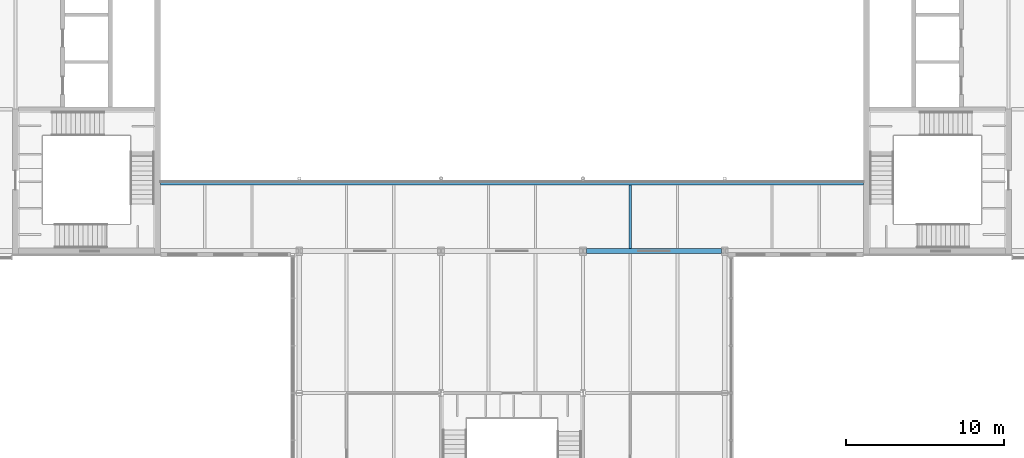
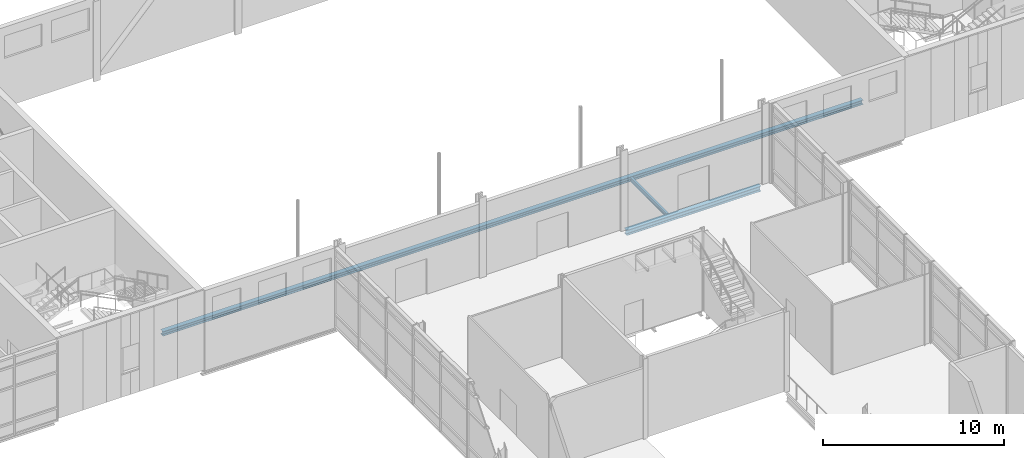
# One storey, part 21 of 56: 3 beams.
"""IFC4 building model written with IfcOpenShell, lengths in metres."""

from ifc_helpers import new_model, si_unit, direction, frame, origin, origin_2d, place, context, subcontext, project, spatial, i_section, extrude, material, material_profile, profile_set, type_object, element, save


model = new_model("IFC4")

# Units and contexts
model_context = context("Model", 3, precision=1e-05, world=origin(), true_north=direction((0.0, 1.0)))
body_context = subcontext(model_context, "Body", "Model", "MODEL_VIEW")
ifc_project = project(units=[si_unit("LENGTHUNIT", "METRE"), si_unit("AREAUNIT", "SQUARE_METRE"), si_unit("VOLUMEUNIT", "CUBIC_METRE"), si_unit("PLANEANGLEUNIT", "RADIAN"), si_unit("MASSUNIT", "GRAM", prefix="KILO")], contexts=[model_context])

# Site, building, storey
site_placement = place(None, origin())
site = spatial("IfcSite", under=ifc_project, at=site_placement, CompositionType="ELEMENT")
building_placement = place(site_placement, origin())
building = spatial("IfcBuilding", under=site, at=building_placement, Name="Azimuth Sports and Learning Centre", CompositionType="ELEMENT")
storey_placement = place(building_placement, frame((0.0, 0.0, 5.39990234375)))
storey = spatial("IfcBuildingStorey", under=building, at=storey_placement, Name="L01", CompositionType="ELEMENT", Elevation=5.39990234375)

# Beams
ifc_material_1 = material(Name="Steel S355", Category="steel")
ifc_material_profile_1 = material_profile(ifc_material_1, i_section(OverallWidth=0.300048828125, OverallDepth=0.35009765625, WebThickness=0.010009765625, FlangeThickness=0.017578125, FilletRadius=0.027099609375, at=origin_2d()), Name="HEA 360")
ifc_profile_set_1 = profile_set([ifc_material_profile_1], Name="Steel S355")
beam_type_1 = type_object("IfcBeamType", Name="Edge beam HEA 360", PredefinedType="SPANDREL", material=ifc_profile_set_1)
beam_1_placement = place(storey_placement, frame((90.220947265625, 90.0, -0.324951171875), z_axis=(1.0, 0.0, 0.0), x_axis=(0.0, 1.0, 0.0)))
element("IfcBeam", 1, at=beam_1_placement, inside=storey, type_object=beam_type_1, Name="Edge beam L01 ST 19", PredefinedType="SPANDREL", context=body_context, shape_type="SweptSolid", body=[
    extrude(i_section(OverallWidth=0.300048828125, OverallDepth=0.35009765625, WebThickness=0.010009765625, FlangeThickness=0.017578125, FilletRadius=0.027099609375, at=origin_2d()), origin(), (0.0, 0.0, 1.0), 8.55810546875),
])
ifc_material_2 = material(Name="Steel S355", Category="steel")
ifc_material_profile_2 = material_profile(ifc_material_2, i_section(OverallWidth=0.300048828125, OverallDepth=0.300048828125, WebThickness=0.010986328125, FlangeThickness=0.01904296875, FilletRadius=0.027099609375, at=origin_2d()), Name="HEB 300")
ifc_profile_set_2 = profile_set([ifc_material_profile_2], Name="Steel S355")
beam_type_2 = type_object("IfcBeamType", Name="Edge beam HEB 300", PredefinedType="SPANDREL", material=ifc_profile_set_2)
beam_2_placement = place(storey_placement, frame((63.199951171875, 94.35009765625, -0.2998046875), z_axis=(1.0, 0.0, 0.0), x_axis=(0.0, 1.0, 0.0)))
element("IfcBeam", 2, at=beam_2_placement, inside=storey, type_object=beam_type_2, Name="Edge beam L01 HG 3", PredefinedType="SPANDREL", context=body_context, shape_type="SweptSolid", body=[
    extrude(i_section(OverallWidth=0.300048828125, OverallDepth=0.300048828125, WebThickness=0.010986328125, FlangeThickness=0.01904296875, FilletRadius=0.027099609375, at=origin_2d()), origin(), (0.0, 0.0, 1.0), 44.60009765625),
])
ifc_material_3 = material(Name="Steel S355", Category="steel")
ifc_material_profile_3 = material_profile(ifc_material_3, i_section(OverallWidth=0.135009765625, OverallDepth=0.27001953125, WebThickness=0.006591796875, FlangeThickness=0.01025390625, FilletRadius=0.014892578125, at=origin_2d()), Name="IPE 270")
ifc_profile_set_3 = profile_set([ifc_material_profile_3], Name="Steel S355")
beam_type_3 = type_object("IfcBeamType", Name="Joist IPE 270", PredefinedType="JOIST", material=ifc_profile_set_3)
beam_3_placement = place(storey_placement, frame((93.0, 90.14990234375, -0.284912109375), z_axis=(0.0, 1.0, 0.0), x_axis=(-1.0, 0.0, 0.0)))
element("IfcBeam", 3, at=beam_3_placement, inside=storey, type_object=beam_type_3, Name="Joist L01 HG 10", PredefinedType="JOIST", context=body_context, shape_type="SweptSolid", body=[
    extrude(i_section(OverallWidth=0.135009765625, OverallDepth=0.27001953125, WebThickness=0.006591796875, FlangeThickness=0.01025390625, FilletRadius=0.014892578125, at=origin_2d()), origin(), (0.0, 0.0, 1.0), 4.050048828125),
])

save(model, "model.ifc")
